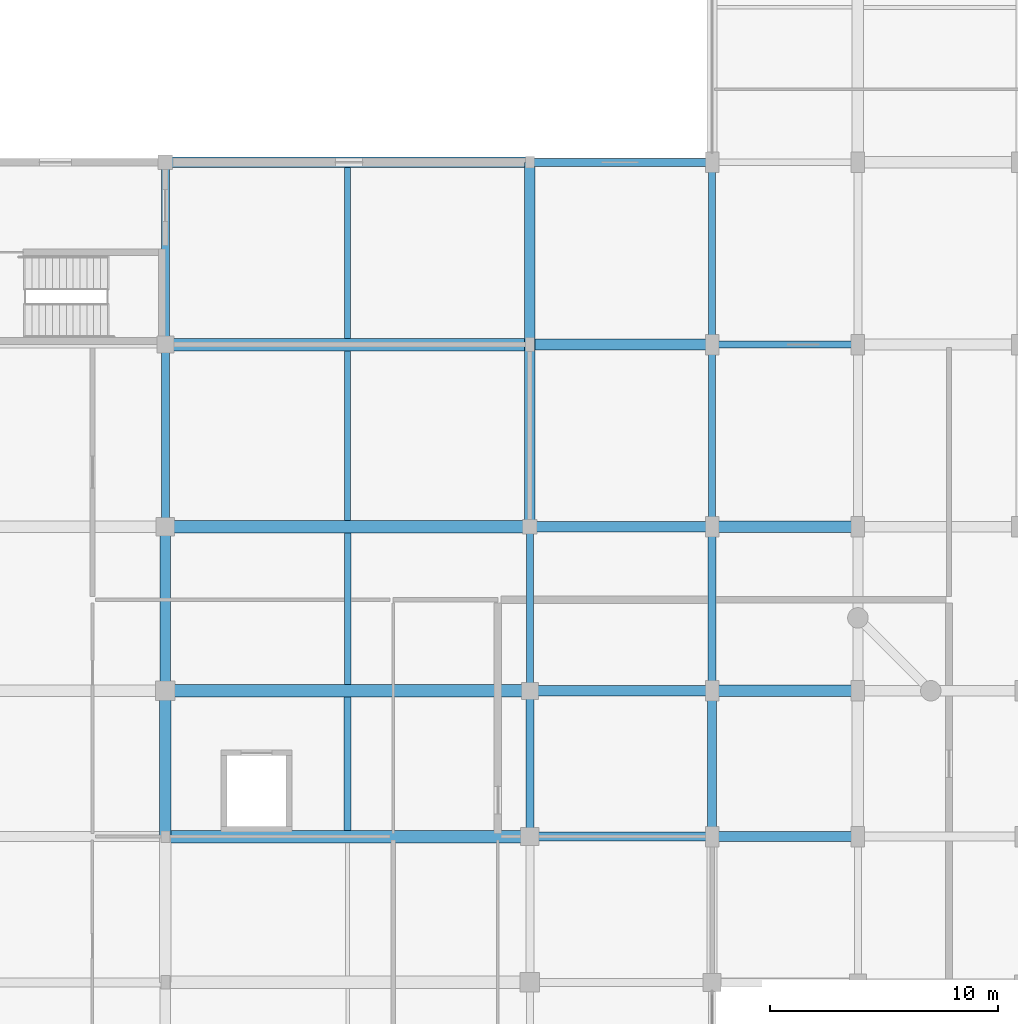
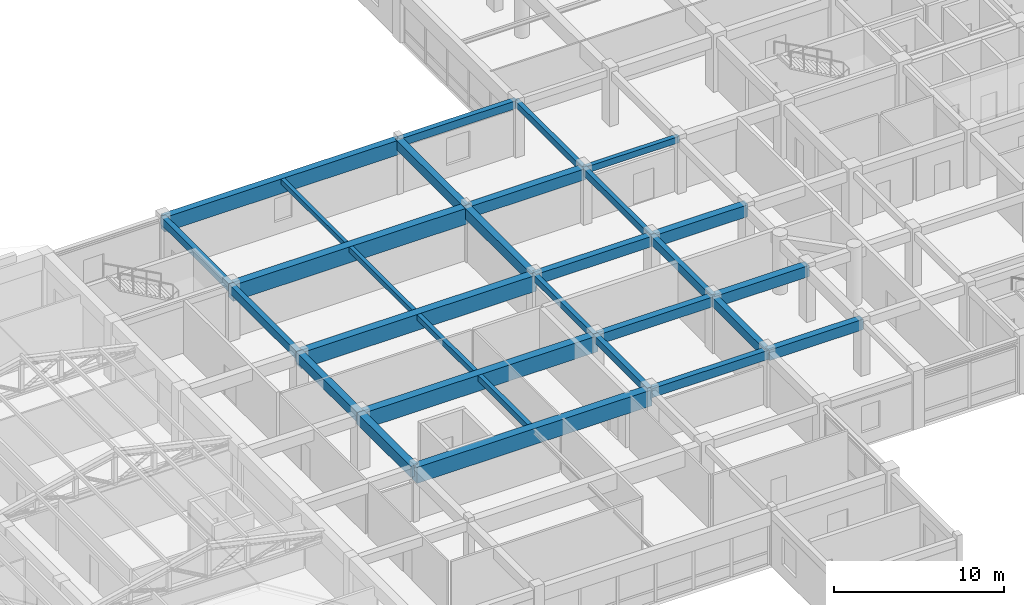
# One storey, part 11 of 35: 30 beams.
"""IFC4 building model written with IfcOpenShell, lengths in metres."""

from ifc_helpers import new_model, si_unit, direction, frame, origin, origin_2d, place, context, subcontext, project, spatial, rectangle, extrude, material, material_profile, profile_set, type_object, element, save


model = new_model("IFC4")

# Units and contexts
model_context = context("Model", 3, precision=1e-05, world=origin(), true_north=direction((0.0, 1.0)))
body_context = subcontext(model_context, "Body", "Model", "MODEL_VIEW")
ifc_project = project(units=[si_unit("LENGTHUNIT", "METRE"), si_unit("AREAUNIT", "SQUARE_METRE"), si_unit("VOLUMEUNIT", "CUBIC_METRE"), si_unit("PLANEANGLEUNIT", "RADIAN"), si_unit("MASSUNIT", "GRAM", prefix="KILO")], contexts=[model_context])

# Site, building, storey
site_placement = place(None, origin())
site = spatial("IfcSite", under=ifc_project, at=site_placement, CompositionType="ELEMENT")
building_placement = place(site_placement, origin())
building = spatial("IfcBuilding", under=site, at=building_placement, Name="Vellmiral Cinema and Media Centre", CompositionType="ELEMENT")
storey_placement = place(building_placement, frame((0.0, 0.0, 15.60009765625)))
storey = spatial("IfcBuildingStorey", under=building, at=storey_placement, Name="L03", CompositionType="ELEMENT", Elevation=15.60009765625)

# Beams
ifc_material_1 = material(Name="Concrete C40/50", Category="concrete")
ifc_material_profile_1 = material_profile(ifc_material_1, rectangle(XDim=0.300048828125, YDim=0.449951171875, at=origin_2d()), Name="RC 300x450")
ifc_profile_set_1 = profile_set([ifc_material_profile_1], Name="Concrete C40/50")
beam_type_1 = type_object("IfcBeamType", Name="BM-RC-300x450", PredefinedType="BEAM", material=ifc_profile_set_1)
beam_1_placement = place(storey_placement, frame((110.39990234375, 87.199951171875, 3.669921875), z_axis=(1.0, 0.0, 0.0), x_axis=(0.0, 1.0, 0.0)))
element("IfcBeam", 1, at=beam_1_placement, inside=storey, type_object=beam_type_1, Name="Grid Beam L03-X049", PredefinedType="BEAM", context=body_context, shape_type="SweptSolid", body=[
    extrude(rectangle(XDim=0.300048828125, YDim=0.449951171875, at=origin_2d()), origin(), (0.0, 0.0, 1.0), 6.400146484375),
])
beam_2_placement = place(storey_placement, frame((102.39990234375, 72.0, 3.669921875), z_axis=(0.0, 1.0, 0.0), x_axis=(-1.0, 0.0, 0.0)))
element("IfcBeam", 2, at=beam_2_placement, inside=storey, type_object=beam_type_1, Name="Grid Beam L03-Y092", PredefinedType="BEAM", context=body_context, shape_type="SweptSolid", body=[
    extrude(rectangle(XDim=0.300048828125, YDim=0.449951171875, at=origin_2d()), origin(), (0.0, 0.0, 1.0), 7.199951171875),
])
beam_3_placement = place(storey_placement, frame((110.39990234375, 87.199951171875, 3.669921875), z_axis=(0.0, 1.0, 0.0), x_axis=(-1.0, 0.0, 0.0)))
element("IfcBeam", 3, at=beam_3_placement, inside=storey, type_object=beam_type_1, Name="Grid Beam L03-Y101", PredefinedType="BEAM", context=body_context, shape_type="SweptSolid", body=[
    extrude(rectangle(XDim=0.300048828125, YDim=0.449951171875, at=origin_2d()), origin(), (0.0, 0.0, 1.0), 8.0),
])
ifc_material_2 = material(Name="Concrete C40/50", Category="concrete")
ifc_material_profile_2 = material_profile(ifc_material_2, rectangle(XDim=0.300048828125, YDim=0.5, at=origin_2d()), Name="RC 300x500")
ifc_profile_set_2 = profile_set([ifc_material_profile_2], Name="Concrete C40/50")
beam_type_2 = type_object("IfcBeamType", Name="BM-RC-300x500", PredefinedType="BEAM", material=ifc_profile_set_2)
beam_4_placement = place(storey_placement, frame((110.39990234375, 79.199951171875, 3.64501953125), z_axis=(0.0, 1.0, 0.0), x_axis=(-1.0, 0.0, 0.0)))
element("IfcBeam", 4, at=beam_4_placement, inside=storey, type_object=beam_type_2, Name="Grid Beam L03-Y100", PredefinedType="BEAM", context=body_context, shape_type="SweptSolid", body=[
    extrude(rectangle(XDim=0.300048828125, YDim=0.5, at=origin_2d()), origin(), (0.0, 0.0, 1.0), 8.0),
])
ifc_material_3 = material(Name="Concrete C40/50", Category="concrete")
ifc_material_profile_3 = material_profile(ifc_material_3, rectangle(XDim=0.35009765625, YDim=0.5, at=origin_2d()), Name="RC 350x500")
ifc_profile_set_3 = profile_set([ifc_material_profile_3], Name="Concrete C40/50")
beam_type_3 = type_object("IfcBeamType", Name="BM-RC-350x500", PredefinedType="BEAM", material=ifc_profile_set_3)
beam_5_placement = place(storey_placement, frame((102.39990234375, 65.60009765625, 3.64501953125), z_axis=(0.0, 1.0, 0.0), x_axis=(-1.0, 0.0, 0.0)))
element("IfcBeam", 5, at=beam_5_placement, inside=storey, type_object=beam_type_3, Name="Grid Beam L03-Y091", PredefinedType="BEAM", context=body_context, shape_type="SweptSolid", body=[
    extrude(rectangle(XDim=0.35009765625, YDim=0.5, at=origin_2d()), origin(), (0.0, 0.0, 1.0), 6.39990234375),
])
ifc_material_4 = material(Name="Concrete C40/50", Category="concrete")
ifc_material_profile_4 = material_profile(ifc_material_4, rectangle(XDim=0.35009765625, YDim=0.550048828125, at=origin_2d()), Name="RC 350x550")
ifc_profile_set_4 = profile_set([ifc_material_profile_4], Name="Concrete C40/50")
beam_type_4 = type_object("IfcBeamType", Name="BM-RC-350x550", PredefinedType="BEAM", material=ifc_profile_set_4)
beam_6_placement = place(storey_placement, frame((86.39990234375, 87.199951171875, 3.619873046875), z_axis=(0.0, 1.0, 0.0), x_axis=(-1.0, 0.0, 0.0)))
element("IfcBeam", 6, at=beam_6_placement, inside=storey, type_object=beam_type_4, Name="Grid Beam L03-Y087", PredefinedType="BEAM", context=body_context, shape_type="SweptSolid", body=[
    extrude(rectangle(XDim=0.35009765625, YDim=0.550048828125, at=origin_2d()), origin(), (0.0, 0.0, 1.0), 8.0),
])
ifc_material_5 = material(Name="Concrete C40/50", Category="concrete")
ifc_material_profile_5 = material_profile(ifc_material_5, rectangle(XDim=0.35009765625, YDim=0.60009765625, at=origin_2d()), Name="RC 350x600")
ifc_profile_set_5 = profile_set([ifc_material_profile_5], Name="Concrete C40/50")
beam_type_5 = type_object("IfcBeamType", Name="BM-RC-350x600", PredefinedType="BEAM", material=ifc_profile_set_5)
beam_7_placement = place(storey_placement, frame((86.39990234375, 79.199951171875, 3.594970703125), z_axis=(0.0, 1.0, 0.0), x_axis=(-1.0, 0.0, 0.0)))
element("IfcBeam", 7, at=beam_7_placement, inside=storey, type_object=beam_type_5, Name="Grid Beam L03-Y086", PredefinedType="BEAM", context=body_context, shape_type="SweptSolid", body=[
    extrude(rectangle(XDim=0.35009765625, YDim=0.60009765625, at=origin_2d()), origin(), (0.0, 0.0, 1.0), 8.0),
])
beam_8_placement = place(storey_placement, frame((110.39990234375, 72.0, 3.594970703125), z_axis=(0.0, 1.0, 0.0), x_axis=(-1.0, 0.0, 0.0)))
element("IfcBeam", 8, at=beam_8_placement, inside=storey, type_object=beam_type_5, Name="Grid Beam L03-Y099", PredefinedType="BEAM", context=body_context, shape_type="SweptSolid", body=[
    extrude(rectangle(XDim=0.35009765625, YDim=0.60009765625, at=origin_2d()), origin(), (0.0, 0.0, 1.0), 7.199951171875),
])
ifc_material_6 = material(Name="Concrete C40/50", Category="concrete")
ifc_material_profile_6 = material_profile(ifc_material_6, rectangle(XDim=0.39990234375, YDim=0.64990234375, at=origin_2d()), Name="RC 400x650")
ifc_profile_set_6 = profile_set([ifc_material_profile_6], Name="Concrete C40/50")
beam_type_6 = type_object("IfcBeamType", Name="BM-RC-400x650", PredefinedType="BEAM", material=ifc_profile_set_6)
beam_9_placement = place(storey_placement, frame((102.39990234375, 65.60009765625, 3.56982421875), z_axis=(1.0, 0.0, 0.0), x_axis=(0.0, 1.0, 0.0)))
element("IfcBeam", 9, at=beam_9_placement, inside=storey, type_object=beam_type_6, Name="Grid Beam L03-X018", PredefinedType="BEAM", context=body_context, shape_type="SweptSolid", body=[
    extrude(rectangle(XDim=0.39990234375, YDim=0.64990234375, at=origin_2d()), origin(), (0.0, 0.0, 1.0), 8.0),
])
beam_10_placement = place(storey_placement, frame((110.39990234375, 65.60009765625, 3.56982421875), z_axis=(0.0, 1.0, 0.0), x_axis=(-1.0, 0.0, 0.0)))
element("IfcBeam", 10, at=beam_10_placement, inside=storey, type_object=beam_type_6, Name="Grid Beam L03-Y098", PredefinedType="BEAM", context=body_context, shape_type="SweptSolid", body=[
    extrude(rectangle(XDim=0.39990234375, YDim=0.64990234375, at=origin_2d()), origin(), (0.0, 0.0, 1.0), 6.39990234375),
])
ifc_material_7 = material(Name="Concrete C40/50", Category="concrete")
ifc_material_profile_7 = material_profile(ifc_material_7, rectangle(XDim=0.449951171875, YDim=0.699951171875, at=origin_2d()), Name="RC 450x700")
ifc_profile_set_7 = profile_set([ifc_material_profile_7], Name="Concrete C40/50")
beam_type_7 = type_object("IfcBeamType", Name="BM-RC-450x700", PredefinedType="BEAM", material=ifc_profile_set_7)
beam_11_placement = place(storey_placement, frame((102.39990234375, 72.0, 3.544921875), z_axis=(1.0, 0.0, 0.0), x_axis=(0.0, 1.0, 0.0)))
element("IfcBeam", 11, at=beam_11_placement, inside=storey, type_object=beam_type_7, Name="Grid Beam L03-X028", PredefinedType="BEAM", context=body_context, shape_type="SweptSolid", body=[
    extrude(rectangle(XDim=0.449951171875, YDim=0.699951171875, at=origin_2d()), origin(), (0.0, 0.0, 1.0), 8.0),
])
beam_12_placement = place(storey_placement, frame((86.39990234375, 72.0, 3.544921875), z_axis=(0.0, 1.0, 0.0), x_axis=(-1.0, 0.0, 0.0)))
element("IfcBeam", 12, at=beam_12_placement, inside=storey, type_object=beam_type_7, Name="Grid Beam L03-Y085", PredefinedType="BEAM", context=body_context, shape_type="SweptSolid", body=[
    extrude(rectangle(XDim=0.449951171875, YDim=0.699951171875, at=origin_2d()), origin(), (0.0, 0.0, 1.0), 7.199951171875),
])
beam_13_placement = place(storey_placement, frame((102.39990234375, 87.199951171875, 3.544921875), z_axis=(0.0, 1.0, 0.0), x_axis=(-1.0, 0.0, 0.0)))
element("IfcBeam", 13, at=beam_13_placement, inside=storey, type_object=beam_type_7, Name="Grid Beam L03-Y094", PredefinedType="BEAM", context=body_context, shape_type="SweptSolid", body=[
    extrude(rectangle(XDim=0.449951171875, YDim=0.699951171875, at=origin_2d()), origin(), (0.0, 0.0, 1.0), 8.0),
])
ifc_material_8 = material(Name="Concrete C40/50", Category="concrete")
ifc_material_profile_8 = material_profile(ifc_material_8, rectangle(XDim=0.449951171875, YDim=0.75, at=origin_2d()), Name="RC 450x750")
ifc_profile_set_8 = profile_set([ifc_material_profile_8], Name="Concrete C40/50")
beam_type_8 = type_object("IfcBeamType", Name="BM-RC-450x750", PredefinedType="BEAM", material=ifc_profile_set_8)
beam_14_placement = place(storey_placement, frame((110.39990234375, 65.60009765625, 3.52001953125), z_axis=(1.0, 0.0, 0.0), x_axis=(0.0, 1.0, 0.0)))
element("IfcBeam", 14, at=beam_14_placement, inside=storey, type_object=beam_type_8, Name="Grid Beam L03-X019", PredefinedType="BEAM", context=body_context, shape_type="SweptSolid", body=[
    extrude(rectangle(XDim=0.449951171875, YDim=0.75, at=origin_2d()), origin(), (0.0, 0.0, 1.0), 6.400146484375),
])
for number, where, z_axis, x_axis, name in (
    (15, (102.39990234375, 79.199951171875, 3.52001953125), (1.0, 0.0, 0.0), (0.0, 1.0, 0.0), "Grid Beam L03-X038"),
    (16, (102.39990234375, 79.199951171875, 3.52001953125), (0.0, 1.0, 0.0), (-1.0, 0.0, 0.0), "Grid Beam L03-Y093"),
):
    element("IfcBeam", number, at=place(storey_placement, frame(where, z_axis=z_axis, x_axis=x_axis)), inside=storey, type_object=beam_type_8, Name=name, PredefinedType="BEAM", context=body_context, shape_type="SweptSolid", body=[
        extrude(rectangle(XDim=0.449951171875, YDim=0.75, at=origin_2d()), origin(), (0.0, 0.0, 1.0), 8.0),
    ])
ifc_material_9 = material(Name="Concrete C40/50", Category="concrete")
ifc_material_profile_9 = material_profile(ifc_material_9, rectangle(XDim=0.5, YDim=0.800048828125, at=origin_2d()), Name="RC 500x800")
ifc_profile_set_9 = profile_set([ifc_material_profile_9], Name="Concrete C40/50")
beam_type_9 = type_object("IfcBeamType", Name="BM-RC-500x800", PredefinedType="BEAM", material=ifc_profile_set_9)
beam_15_placement = place(storey_placement, frame((110.39990234375, 72.0, 3.494873046875), z_axis=(1.0, 0.0, 0.0), x_axis=(0.0, 1.0, 0.0)))
element("IfcBeam", 17, at=beam_15_placement, inside=storey, type_object=beam_type_9, Name="Grid Beam L03-X029", PredefinedType="BEAM", context=body_context, shape_type="SweptSolid", body=[
    extrude(rectangle(XDim=0.5, YDim=0.800048828125, at=origin_2d()), origin(), (0.0, 0.0, 1.0), 6.400146484375),
])
beam_16_placement = place(storey_placement, frame((102.39990234375, 87.199951171875, 3.494873046875), z_axis=(1.0, 0.0, 0.0), x_axis=(0.0, 1.0, 0.0)))
element("IfcBeam", 18, at=beam_16_placement, inside=storey, type_object=beam_type_9, Name="Grid Beam L03-X048", PredefinedType="BEAM", context=body_context, shape_type="SweptSolid", body=[
    extrude(rectangle(XDim=0.5, YDim=0.800048828125, at=origin_2d()), origin(), (0.0, 0.0, 1.0), 8.0),
])
beam_17_placement = place(storey_placement, frame((86.39990234375, 65.60009765625, 3.494873046875), z_axis=(0.0, 1.0, 0.0), x_axis=(-1.0, 0.0, 0.0)))
element("IfcBeam", 19, at=beam_17_placement, inside=storey, type_object=beam_type_9, Name="Grid Beam L03-Y084", PredefinedType="BEAM", context=body_context, shape_type="SweptSolid", body=[
    extrude(rectangle(XDim=0.5, YDim=0.800048828125, at=origin_2d()), origin(), (0.0, 0.0, 1.0), 6.39990234375),
])
ifc_material_10 = material(Name="Concrete C40/50", Category="concrete")
ifc_material_profile_10 = material_profile(ifc_material_10, rectangle(XDim=0.5, YDim=0.85009765625, at=origin_2d()), Name="RC 500x850")
ifc_profile_set_10 = profile_set([ifc_material_profile_10], Name="Concrete C40/50")
beam_type_10 = type_object("IfcBeamType", Name="BM-RC-500x850", PredefinedType="BEAM", material=ifc_profile_set_10)
beam_18_placement = place(storey_placement, frame((110.39990234375, 79.199951171875, 3.469970703125), z_axis=(1.0, 0.0, 0.0), x_axis=(0.0, 1.0, 0.0)))
element("IfcBeam", 20, at=beam_18_placement, inside=storey, type_object=beam_type_10, Name="Grid Beam L03-X039", PredefinedType="BEAM", context=body_context, shape_type="SweptSolid", body=[
    extrude(rectangle(XDim=0.5, YDim=0.85009765625, at=origin_2d()), origin(), (0.0, 0.0, 1.0), 6.400146484375),
])
ifc_material_11 = material(Name="Concrete C40/50", Category="concrete")
ifc_material_profile_11 = material_profile(ifc_material_11, rectangle(XDim=0.550048828125, YDim=1.14990234375, at=origin_2d()), Name="RC 550x1150")
ifc_profile_set_11 = profile_set([ifc_material_profile_11], Name="Concrete C40/50")
beam_type_11 = type_object("IfcBeamType", Name="BM-RCG-550x1150", PredefinedType="BEAM", material=ifc_profile_set_11)
for number, where, z_axis, x_axis, name in (
    (21, (86.39990234375, 65.60009765625, 3.31982421875), (1.0, 0.0, 0.0), (0.0, 1.0, 0.0), "Grid Beam L03-X017"),
    (22, (86.39990234375, 72.0, 3.31982421875), (1.0, 0.0, 0.0), (0.0, 1.0, 0.0), "Grid Beam L03-X027"),
    (23, (86.39990234375, 79.199951171875, 3.31982421875), (1.0, 0.0, 0.0), (0.0, 1.0, 0.0), "Grid Beam L03-X037"),
    (24, (86.39990234375, 87.199951171875, 3.31982421875), (1.0, 0.0, 0.0), (0.0, 1.0, 0.0), "Grid Beam L03-X047"),
):
    element("IfcBeam", number, at=place(storey_placement, frame(where, z_axis=z_axis, x_axis=x_axis)), inside=storey, type_object=beam_type_11, Name=name, PredefinedType="BEAM", context=body_context, shape_type="SweptSolid", body=[
        extrude(rectangle(XDim=0.550048828125, YDim=1.14990234375, at=origin_2d()), origin(), (0.0, 0.0, 1.0), 16.0),
    ])
ifc_material_12 = material(Name="Concrete C40/50", Category="concrete")
ifc_material_profile_12 = material_profile(ifc_material_12, rectangle(XDim=0.25, YDim=0.35009765625, at=origin_2d()), Name="RC 250x350")
ifc_profile_set_12 = profile_set([ifc_material_profile_12], Name="Concrete C40/50")
beam_type_12 = type_object("IfcBeamType", Name="JST-RC-250x350", PredefinedType="JOIST", material=ifc_profile_set_12)
beam_19_placement = place(storey_placement, frame((94.39990234375, 87.47509765625, 3.719970703125), z_axis=(0.0, 1.0, 0.0), x_axis=(-1.0, 0.0, 0.0)))
element("IfcBeam", 25, at=beam_19_placement, inside=storey, type_object=beam_type_12, Name="Secondary Floor Joist L03-006", PredefinedType="JOIST", context=body_context, shape_type="SweptSolid", body=[
    extrude(rectangle(XDim=0.25, YDim=0.35009765625, at=origin_2d()), origin(), (0.0, 0.0, 1.0), 7.5),
])
ifc_material_13 = material(Name="Concrete C40/50", Category="concrete")
ifc_material_profile_13 = material_profile(ifc_material_13, rectangle(XDim=0.260009765625, YDim=0.3798828125, at=origin_2d()), Name="RC 260x380")
ifc_profile_set_13 = profile_set([ifc_material_profile_13], Name="Concrete C40/50")
beam_type_13 = type_object("IfcBeamType", Name="JST-RC-260x380", PredefinedType="JOIST", material=ifc_profile_set_13)
beam_20_placement = place(storey_placement, frame((94.39990234375, 79.47509765625, 3.704833984375), z_axis=(0.0, 1.0, 0.0), x_axis=(-1.0, 0.0, 0.0)))
element("IfcBeam", 26, at=beam_20_placement, inside=storey, type_object=beam_type_13, Name="Secondary Floor Joist L03-005", PredefinedType="JOIST", context=body_context, shape_type="SweptSolid", body=[
    extrude(rectangle(XDim=0.260009765625, YDim=0.3798828125, at=origin_2d()), origin(), (0.0, 0.0, 1.0), 7.449951171875),
])
ifc_material_14 = material(Name="Concrete C40/50", Category="concrete")
ifc_material_profile_14 = material_profile(ifc_material_14, rectangle(XDim=0.280029296875, YDim=0.39990234375, at=origin_2d()), Name="RC 280x400")
ifc_profile_set_14 = profile_set([ifc_material_profile_14], Name="Concrete C40/50")
beam_type_14 = type_object("IfcBeamType", Name="JST-RC-280x400", PredefinedType="JOIST", material=ifc_profile_set_14)
beam_21_placement = place(storey_placement, frame((94.39990234375, 72.27490234375, 3.69482421875), z_axis=(0.0, 1.0, 0.0), x_axis=(-1.0, 0.0, 0.0)))
element("IfcBeam", 27, at=beam_21_placement, inside=storey, type_object=beam_type_14, Name="Secondary Floor Joist L03-004", PredefinedType="JOIST", context=body_context, shape_type="SweptSolid", body=[
    extrude(rectangle(XDim=0.280029296875, YDim=0.39990234375, at=origin_2d()), origin(), (0.0, 0.0, 1.0), 6.650146484375),
])
ifc_material_15 = material(Name="Concrete C40/50", Category="concrete")
ifc_material_profile_15 = material_profile(ifc_material_15, rectangle(XDim=0.300048828125, YDim=0.419921875, at=origin_2d()), Name="RC 300x420")
ifc_profile_set_15 = profile_set([ifc_material_profile_15], Name="Concrete C40/50")
beam_type_15 = type_object("IfcBeamType", Name="JST-RC-300x420", PredefinedType="JOIST", material=ifc_profile_set_15)
beam_22_placement = place(storey_placement, frame((94.39990234375, 65.875, 3.684814453125), z_axis=(0.0, 1.0, 0.0), x_axis=(-1.0, 0.0, 0.0)))
element("IfcBeam", 28, at=beam_22_placement, inside=storey, type_object=beam_type_15, Name="Secondary Floor Joist L03-003", PredefinedType="JOIST", context=body_context, shape_type="SweptSolid", body=[
    extrude(rectangle(XDim=0.300048828125, YDim=0.419921875, at=origin_2d()), origin(), (0.0, 0.0, 1.0), 5.85009765625),
])
ifc_material_16 = material(Name="Concrete C40/50", Category="concrete")
ifc_material_profile_16 = material_profile(ifc_material_16, rectangle(XDim=0.35009765625, YDim=0.56005859375, at=origin_2d()), Name="RC 350x560")
ifc_profile_set_16 = profile_set([ifc_material_profile_16], Name="Concrete C40/50")
beam_type_16 = type_object("IfcBeamType", Name="SPD-RC-350x560", PredefinedType="SPANDREL", material=ifc_profile_set_16)
beam_23_placement = place(storey_placement, frame((102.39990234375, 95.199951171875, 3.614990234375), z_axis=(1.0, 0.0, 0.0), x_axis=(0.0, 1.0, 0.0)))
element("IfcBeam", 29, at=beam_23_placement, inside=storey, type_object=beam_type_16, Name="Grid Beam L03-X058", PredefinedType="SPANDREL", context=body_context, shape_type="SweptSolid", body=[
    extrude(rectangle(XDim=0.35009765625, YDim=0.56005859375, at=origin_2d()), origin(), (0.0, 0.0, 1.0), 8.0),
])
ifc_material_17 = material(Name="Concrete C40/50", Category="concrete")
ifc_material_profile_17 = material_profile(ifc_material_17, rectangle(XDim=0.449951171875, YDim=1.050048828125, at=origin_2d()), Name="RC 450x1050")
ifc_profile_set_17 = profile_set([ifc_material_profile_17], Name="Concrete C40/50")
beam_type_17 = type_object("IfcBeamType", Name="SPD-RCG-450x1050", PredefinedType="SPANDREL", material=ifc_profile_set_17)
beam_24_placement = place(storey_placement, frame((86.39990234375, 95.199951171875, 3.369873046875), z_axis=(1.0, 0.0, 0.0), x_axis=(0.0, 1.0, 0.0)))
element("IfcBeam", 30, at=beam_24_placement, inside=storey, type_object=beam_type_17, Name="Grid Beam L03-X057", PredefinedType="SPANDREL", context=body_context, shape_type="SweptSolid", body=[
    extrude(rectangle(XDim=0.449951171875, YDim=1.050048828125, at=origin_2d()), origin(), (0.0, 0.0, 1.0), 16.0),
])

save(model, "model.ifc")
